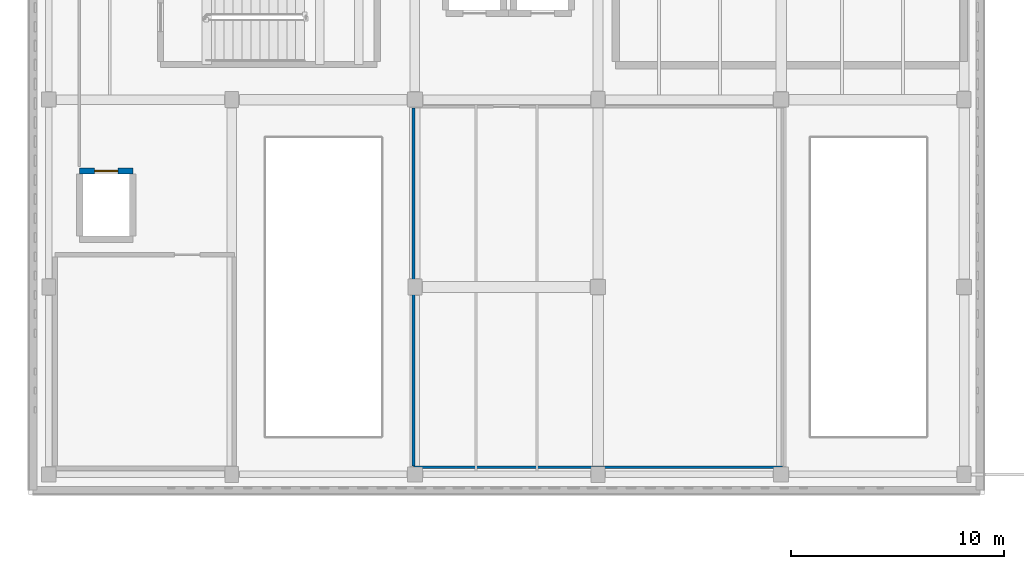
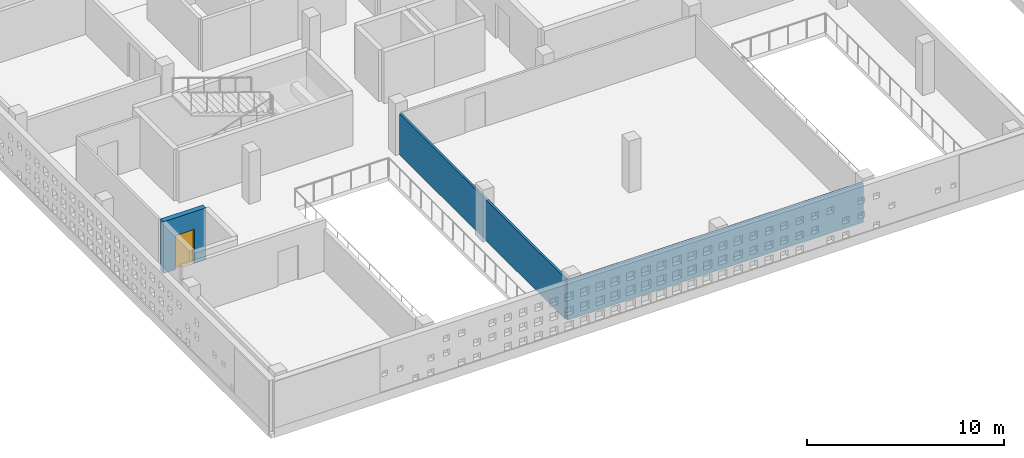
# One storey, part 40 of 55: 3 walls, 1 door, 1 opening.
"""IFC4 building model written with IfcOpenShell, lengths in metres."""

from ifc_helpers import new_model, si_unit, direction, frame, frame_2d, origin, place, context, subcontext, project, spatial, rectangle, extrude, material, layer, layer_set, type_object, element, fill, save


model = new_model("IFC4")

# Units and contexts
model_context = context("Model", 3, precision=1e-05, world=origin(), true_north=direction((0.0, 1.0)))
body_context = subcontext(model_context, "Body", "Model", "MODEL_VIEW")
ifc_project = project(units=[si_unit("LENGTHUNIT", "METRE"), si_unit("AREAUNIT", "SQUARE_METRE"), si_unit("VOLUMEUNIT", "CUBIC_METRE"), si_unit("PLANEANGLEUNIT", "RADIAN"), si_unit("MASSUNIT", "GRAM", prefix="KILO")], contexts=[model_context])

# Site, building, storey
site_placement = place(None, origin())
site = spatial("IfcSite", under=ifc_project, at=site_placement, CompositionType="ELEMENT")
building_placement = place(site_placement, origin())
building = spatial("IfcBuilding", under=site, at=building_placement, Name="Varnakota Cinema and Media Centre", CompositionType="ELEMENT")
storey_placement = place(building_placement, frame((0.0, 0.0, 15.60009765625)))
storey = spatial("IfcBuildingStorey", under=building, at=storey_placement, Name="L04", CompositionType="ELEMENT", Elevation=15.60009765625)

# Wall, opening, door
ifc_material_1 = material(Name="Concrete M40", Category="concrete")
ifc_layer_1 = layer(ifc_material_1, 0.300048828125)
ifc_layer_set_1 = layer_set([ifc_layer_1], Name="Concrete M40")
wall_type_1 = type_object("IfcWallType", Name="W-CORE-300", PredefinedType="SHEAR", material=ifc_layer_set_1)
wall_1_placement = place(storey_placement, frame((1.449951171875, 14.25, 0.0), z_axis=(0.0, 0.0, 1.0), x_axis=(1.0, 0.0, 0.0)))
wall_1 = element("IfcWall", 1, at=wall_1_placement, inside=storey, type_object=wall_type_1, Name="L04 LSHAFT-LF-01-L04 N wall", PredefinedType="SHEAR", context=body_context, shape_type="SweptSolid", body=[
    extrude(rectangle(XDim=2.5, YDim=0.300048828125, at=frame_2d((1.25, 0.0))), origin(), (0.0, 0.0, 1.0), 3.199951171875),
])
opening_placement = place(wall_1_placement, frame((0.699951171875, 0.0, 0.0)))
opening = element("IfcOpeningElement", 2, at=opening_placement, cuts=wall_1, Name="Opening LD-01", PredefinedType="OPENING", context=body_context, shape_type="SweptSolid", body=[
    extrude(rectangle(XDim=1.10009765625, YDim=2.10009765625, at=frame_2d((0.550048828125, 1.050048828125))), frame((0.0, 0.14990234375, 0.0), z_axis=(0.0, -1.0, 0.0), x_axis=(1.0, 0.0, 0.0)), (0.0, 0.0, 1.0), 0.300048828125),
])
ifc_material_2 = material(Name="Thermally broken anodised aluminium AW-6063", Category="aluminium")
door_type = type_object("IfcDoorType", Name="DR-LIFT-1100x2100", OperationType="SLIDING_TO_LEFT", PredefinedType="DOOR", material=ifc_material_2)
door_placement = place(opening_placement, origin())
door = element("IfcDoor", 3, at=door_placement, inside=storey, type_object=door_type, Name="L04 door LD-01", OperationType="SLIDING_TO_LEFT", OverallHeight=2.10009765625, OverallWidth=1.10009765625, PredefinedType="DOOR", context=body_context, shape_type="SweptSolid", body=[
    extrude(rectangle(XDim=1.10009765625, YDim=2.10009765625, at=frame_2d((0.550048828125, 1.050048828125))), frame((0.0, 0.02490234375, 0.0), z_axis=(0.0, -1.0, 0.0), x_axis=(1.0, 0.0, 0.0)), (0.0, 0.0, 1.0), 0.050048828125),
])
fill(opening, door)

# Walls
ifc_material_3 = material(Name="Autoclaved aerated concrete blockwork", Category="masonry")
ifc_layer_2 = layer(ifc_material_3, 0.1298828125)
ifc_layer_set_2 = layer_set([ifc_layer_2], Name="Autoclaved aerated concrete blockwork")
wall_type_2 = type_object("IfcWallType", Name="W-PART-130", PredefinedType="PARTITIONING", material=ifc_layer_set_2)
wall_2_placement = place(storey_placement, frame((34.465087890625, 0.3349609375, 0.0), z_axis=(0.0, 0.0, 1.0), x_axis=(-1.0, 0.0, 0.0)))
element("IfcWall", 4, at=wall_2_placement, inside=storey, type_object=wall_type_2, Name="L04 RWALL-RM-L04-PROJ45 S wall", PredefinedType="PARTITIONING", context=body_context, shape_type="SweptSolid", body=[
    extrude(rectangle(XDim=17.330078125, YDim=0.1298828125, at=frame_2d((8.6650390625, 0.0))), origin(), (0.0, 0.0, 1.0), 2.429931640625),
])
wall_3_placement = place(storey_placement, frame((17.135009765625, 0.39990234375, 0.0), z_axis=(0.0, 0.0, 1.0), x_axis=(0.0, 1.0, 0.0)))
element("IfcWall", 5, at=wall_3_placement, inside=storey, type_object=wall_type_2, Name="L04 RWALL-RM-L04-PROJ45 W wall", PredefinedType="PARTITIONING", context=body_context, shape_type="SweptSolid", body=[
    extrude(rectangle(XDim=16.800048828125, YDim=0.1298828125, at=frame_2d((8.39990234375, 0.0))), origin(), (0.0, 0.0, 1.0), 2.52978515625),
])

save(model, "model.ifc")
